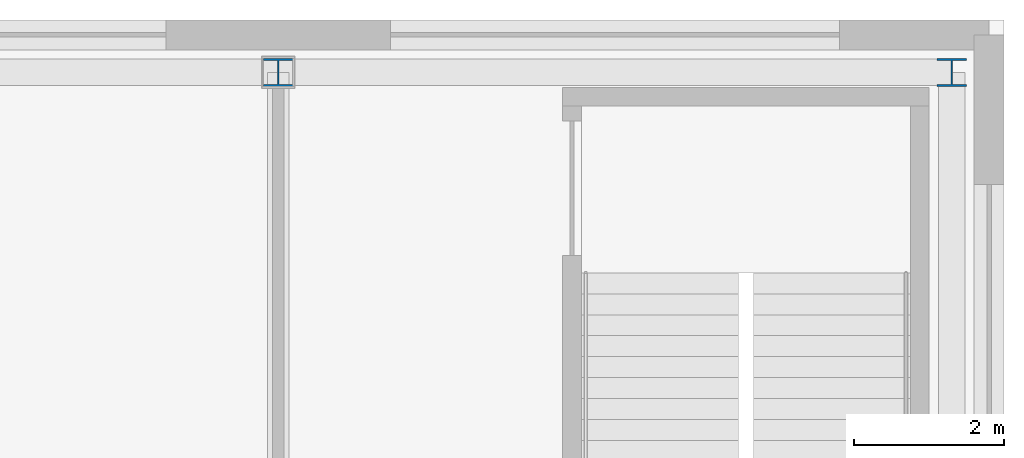
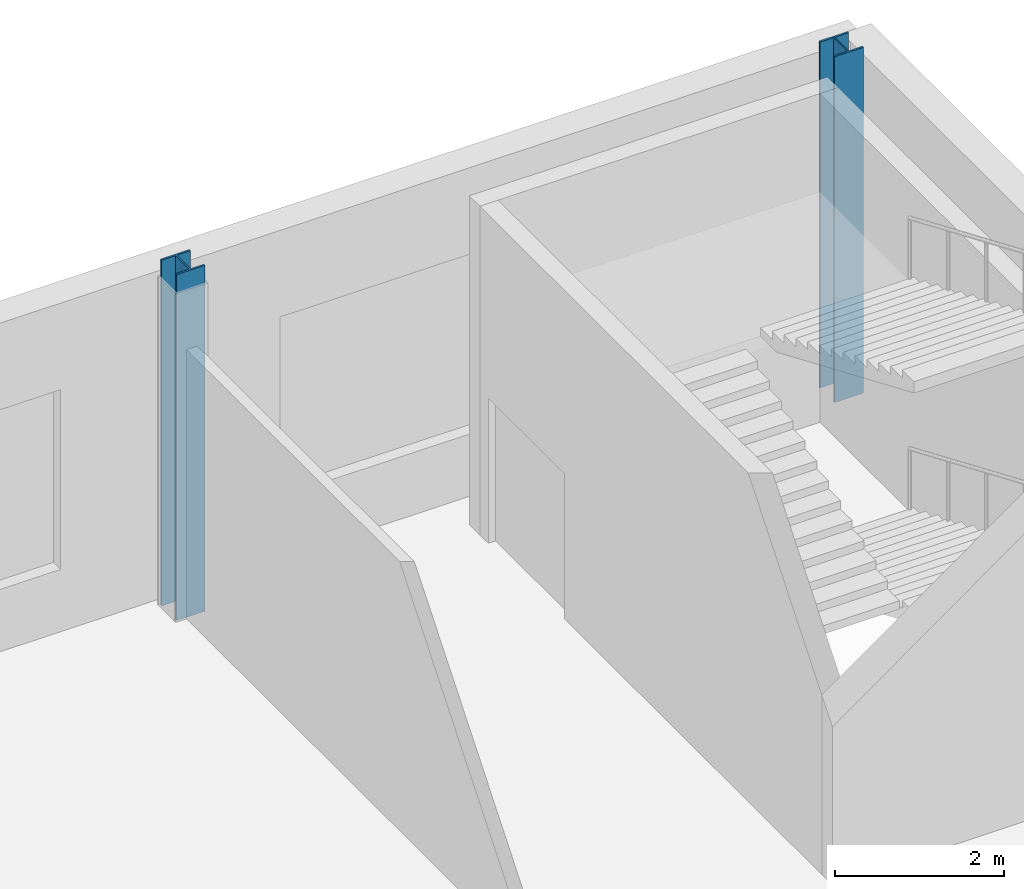
# One storey, part 8 of 28: 2 columns.
"""IFC4 building model written with IfcOpenShell, lengths in metres."""

from ifc_helpers import new_model, si_unit, direction, frame, origin, origin_2d, place, context, subcontext, project, spatial, i_section, extrude, material, material_profile, profile_set, type_object, element, save


model = new_model("IFC4")

# Units and contexts
model_context = context("Model", 3, precision=1e-05, world=origin(), true_north=direction((0.0, 1.0)))
body_context = subcontext(model_context, "Body", "Model", "MODEL_VIEW")
ifc_project = project(units=[si_unit("LENGTHUNIT", "METRE"), si_unit("AREAUNIT", "SQUARE_METRE"), si_unit("VOLUMEUNIT", "CUBIC_METRE"), si_unit("PLANEANGLEUNIT", "RADIAN"), si_unit("MASSUNIT", "GRAM", prefix="KILO")], contexts=[model_context])

# Site, building, storey
site_placement = place(None, origin())
site = spatial("IfcSite", under=ifc_project, at=site_placement, CompositionType="ELEMENT")
building_placement = place(site_placement, origin())
building = spatial("IfcBuilding", under=site, at=building_placement, Name="Loomwork Tower", CompositionType="ELEMENT")
storey_placement = place(building_placement, frame((0.0, 0.0, 6.0)))
storey = spatial("IfcBuildingStorey", under=building, at=storey_placement, Name="L01", CompositionType="ELEMENT", Elevation=6.0)

# Columns
ifc_material = material(Name="Steel ASTM A992", Category="steel")
ifc_material_profile = material_profile(ifc_material, i_section(OverallWidth=0.393798828125, OverallDepth=0.3759765625, WebThickness=0.017333984375, FlangeThickness=0.027587890625, at=origin_2d()), Name="W14x145")
ifc_profile_set = profile_set([ifc_material_profile], Name="Steel ASTM A992")
column_type = type_object("IfcColumnType", Name="PODIUM COLUMN W14x145", PredefinedType="COLUMN", material=ifc_profile_set)
for number, where, z_axis, x_axis, name in (
    (1, (54.0, 45.0, 0.0), (0.0, 0.0, 1.0), (1.0, 0.0, 0.0), "Podium Column J/8 L01"),
    (2, (63.0, 45.0, 0.0), (0.0, 0.0, 1.0), (1.0, 0.0, 0.0), "Podium Column J/9 L01"),
):
    element("IfcColumn", number, at=place(storey_placement, frame(where, z_axis=z_axis, x_axis=x_axis)), inside=storey, type_object=column_type, Name=name, PredefinedType="COLUMN", context=body_context, shape_type="SweptSolid", body=[
        extrude(i_section(OverallWidth=0.393798828125, OverallDepth=0.3759765625, WebThickness=0.017333984375, FlangeThickness=0.027587890625, at=origin_2d()), origin(), (0.0, 0.0, 1.0), 5.0),
    ])

save(model, "model.ifc")
